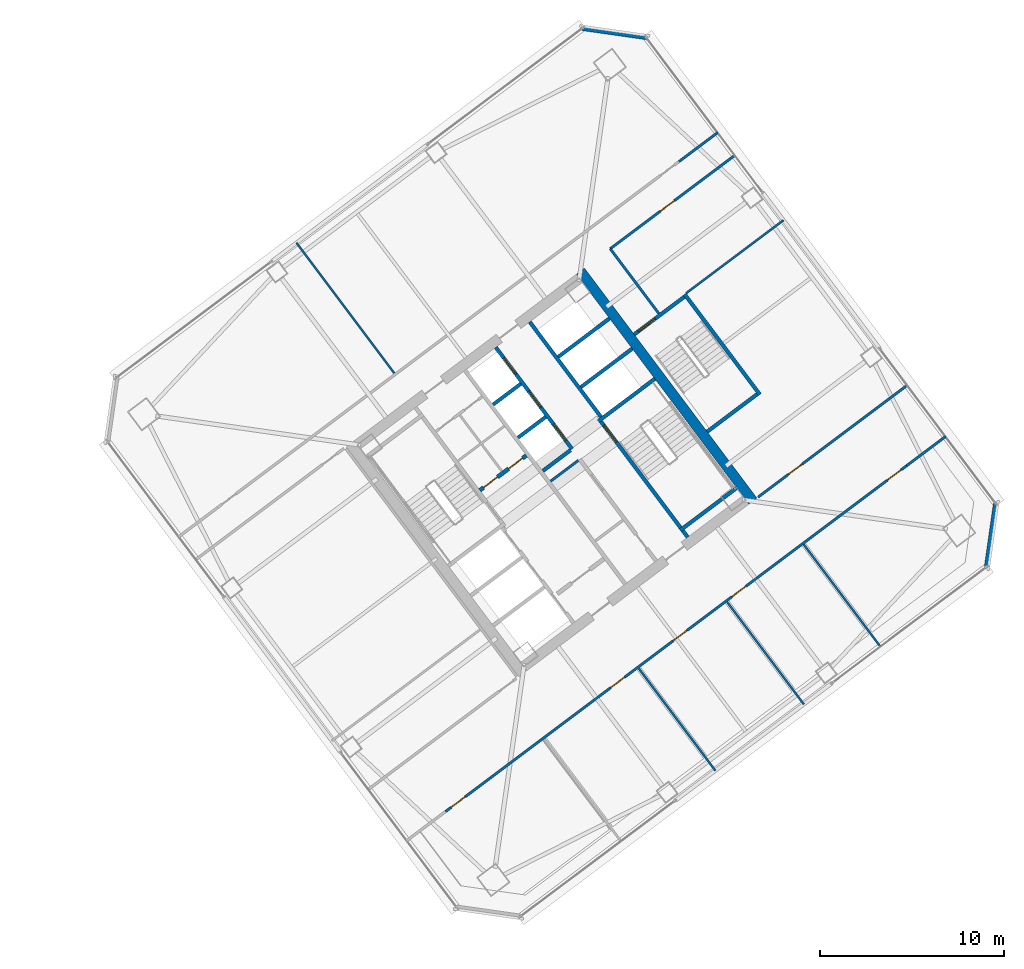
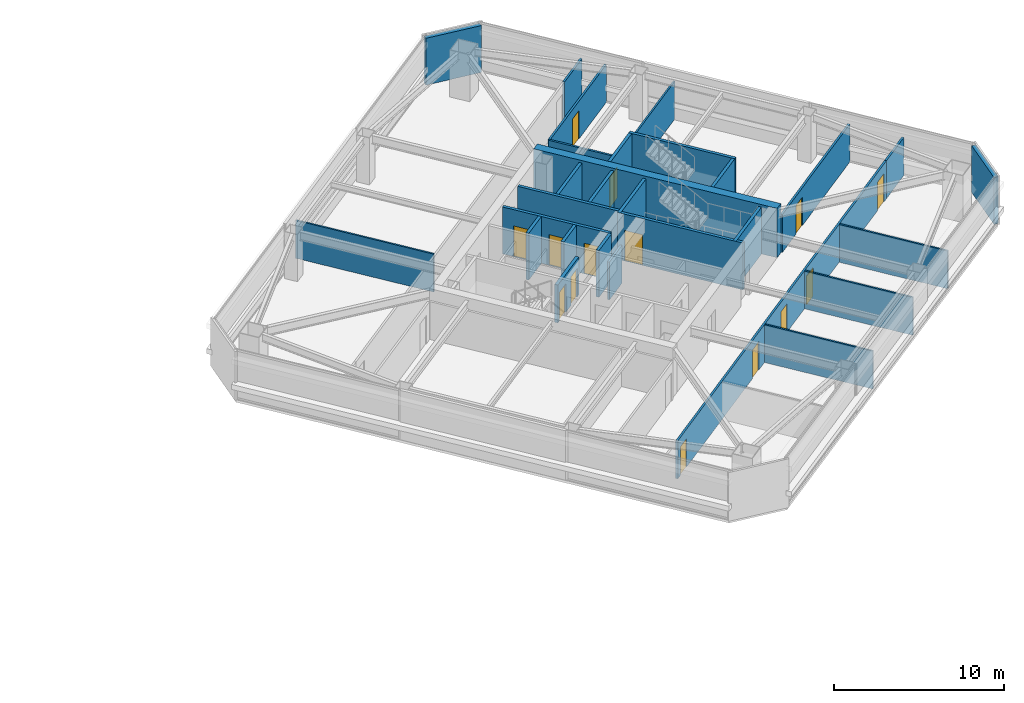
# One storey, part 34 of 41: 29 walls, 14 doors, 14 openings.
"""IFC4 building model written with IfcOpenShell, lengths in metres."""

from ifc_helpers import new_model, si_unit, direction, frame, frame_2d, origin, place, context, subcontext, project, spatial, rectangle, extrude, material, layer, layer_set, type_object, element, fill, save


model = new_model("IFC4")

# Units and contexts
model_context = context("Model", 3, precision=1e-05, world=origin(), true_north=direction((0.0, 1.0)))
body_context = subcontext(model_context, "Body", "Model", "MODEL_VIEW")
ifc_project = project(units=[si_unit("LENGTHUNIT", "METRE"), si_unit("AREAUNIT", "SQUARE_METRE"), si_unit("VOLUMEUNIT", "CUBIC_METRE"), si_unit("PLANEANGLEUNIT", "RADIAN"), si_unit("MASSUNIT", "GRAM", prefix="KILO")], contexts=[model_context])

# Site, building, storey
site_placement = place(None, origin())
site = spatial("IfcSite", under=ifc_project, at=site_placement, CompositionType="ELEMENT")
building_placement = place(site_placement, origin())
building = spatial("IfcBuilding", under=site, at=building_placement, Name="Tashvorn Skyway Center", CompositionType="ELEMENT")
storey_placement = place(building_placement, frame((0.0, 0.0, 117.949951171875)))
storey = spatial("IfcBuildingStorey", under=building, at=storey_placement, Name="L31", CompositionType="ELEMENT", Elevation=117.949951171875)

# Walls
ifc_material_1 = material(Name="Concrete C60/75", Category="concrete")
ifc_layer_1 = layer(ifc_material_1, 0.550048828125)
ifc_layer_set_1 = layer_set([ifc_layer_1], Name="Concrete C60/75")
wall_type_1 = type_object("IfcWallType", Name="WALL-CORE-550", PredefinedType="SHEAR", material=ifc_layer_set_1)
wall_1_placement = place(storey_placement, frame((115.56396484375, 42.923095703125, 0.0), z_axis=(0.0, 0.0, 1.0), x_axis=(0.600005007985, -0.799996243986, 0.0)))
element("IfcWall", 1, at=wall_1_placement, inside=storey, type_object=wall_type_1, Name="Tower 2 L31 East Core Shear Wall", PredefinedType="SHEAR", context=body_context, shape_type="SweptSolid", body=[
    extrude(rectangle(XDim=15.60009765625, YDim=0.550048828125, at=frame_2d((7.800048828125, 0.0))), origin(), (0.0, 0.0, 1.0), 3.550048828125),
])
ifc_material_2 = material(Name="Precast concrete C40/50", Category="concrete")
ifc_layer_2 = layer(ifc_material_2, 0.280029296875)
ifc_layer_set_2 = layer_set([ifc_layer_2], Name="Precast concrete C40/50")
wall_type_2 = type_object("IfcWallType", Name="WALL-EXT-280", PredefinedType="SOLIDWALL", material=ifc_layer_set_2)
for number, where, z_axis, x_axis, name in (
    (2, (115.659912109375, 56.1201171875, 0.0), (0.0, 0.0, 1.0), (0.989949493661, -0.141421356237, 0.0), "Tower 2 L31 NE Precast Chamfer Wall"),
    (3, (138.1201171875, 30.340087890625, 0.0), (0.0, 0.0, 1.0), (-0.141421356237, -0.989949493661, 0.0), "Tower 2 L31 SE Precast Chamfer Wall"),
):
    element("IfcWall", number, at=place(storey_placement, frame(where, z_axis=z_axis, x_axis=x_axis)), inside=storey, type_object=wall_type_2, Name=name, PredefinedType="SOLIDWALL", context=body_context, shape_type="SweptSolid", body=[
        extrude(rectangle(XDim=3.53564453125, YDim=0.280029296875, at=frame_2d((1.767822265625, 0.0))), origin(), (0.0, 0.0, 1.0), 3.3701171875),
    ])

# Wall, openings, doors
ifc_material_3 = material(Name="Concrete C40/50", Category="concrete")
ifc_layer_3 = layer(ifc_material_3, 0.219970703125)
ifc_layer_set_3 = layer_set([ifc_layer_3], Name="Concrete C40/50")
wall_type_3 = type_object("IfcWallType", Name="WALL-FFL-220", PredefinedType="SOLIDWALL", material=ifc_layer_set_3)
wall_2_placement = place(storey_placement, frame((110.10400390625, 31.028076171875, 0.0), z_axis=(0.0, 0.0, 1.0), x_axis=(0.800018601094, 0.59997519774, 0.0)))
wall_2 = element("IfcWall", 4, at=wall_2_placement, inside=storey, type_object=wall_type_3, Name="Tower 2 L31 Firefighting Lobby North Wall", PredefinedType="SOLIDWALL", context=body_context, shape_type="SweptSolid", body=[
    extrude(rectangle(XDim=3.14990234375, YDim=0.219970703125, at=frame_2d((1.574951171875, 0.0))), origin(), (0.0, 0.0, 1.0), 2.72314453125),
])
opening_1_placement = place(wall_2_placement, frame((0.25, 0.0, 0.0)))
opening_1 = element("IfcOpeningElement", 5, at=opening_1_placement, cuts=wall_2, Name="Opening D-RT-950", PredefinedType="OPENING", context=body_context, shape_type="SweptSolid", body=[
    extrude(rectangle(XDim=0.949951171875, YDim=2.050048828125, at=frame_2d((0.47509765625, 1.02490234375))), frame((0.0, 0.119873046875, 0.0), z_axis=(0.0, -1.0, 0.0), x_axis=(1.0, 0.0, 0.0)), (0.0, 0.0, 1.0), 0.239990234375),
])
opening_2_placement = place(wall_2_placement, frame((1.949951171875, 0.0, 0.0)))
opening_2 = element("IfcOpeningElement", 6, at=opening_2_placement, cuts=wall_2, Name="Opening D-RT-950", PredefinedType="OPENING", context=body_context, shape_type="SweptSolid", body=[
    extrude(rectangle(XDim=0.949951171875, YDim=2.050048828125, at=frame_2d((0.47509765625, 1.02490234375))), frame((0.0, 0.119873046875, 0.0), z_axis=(0.0, -1.0, 0.0), x_axis=(1.0, 0.0, 0.0)), (0.0, 0.0, 1.0), 0.239990234375),
])
ifc_material_4 = material(Name="Hollow galvanized steel fire door assembly", Category="steel")
door_type_1 = type_object("IfcDoorType", Name="DOOR-RATED-950", OperationType="NOTDEFINED", PredefinedType="DOOR", material=ifc_material_4)
door_1_placement = place(opening_1_placement, origin())
door_1 = element("IfcDoor", 7, at=door_1_placement, inside=storey, type_object=door_type_1, Name="Tower 2 L31 Core Mail Room Door", OperationType="SINGLE_SWING_LEFT", OverallHeight=2.050048828125, OverallWidth=0.949951171875, PredefinedType="DOOR", context=body_context, shape_type="SweptSolid", body=[
    extrude(rectangle(XDim=0.949951171875, YDim=2.050048828125, at=frame_2d((0.47509765625, 1.02490234375))), frame((0.0, 0.02490234375, 0.0), z_axis=(0.0, -1.0, 0.0), x_axis=(1.0, 0.0, 0.0)), (0.0, 0.0, 1.0), 0.050048828125),
])
fill(opening_1, door_1)
door_2_placement = place(opening_2_placement, origin())
door_2 = element("IfcDoor", 8, at=door_2_placement, inside=storey, type_object=door_type_1, Name="Tower 2 L31 Core Supply Closet Door", OperationType="SINGLE_SWING_RIGHT", OverallHeight=2.050048828125, OverallWidth=0.949951171875, PredefinedType="DOOR", context=body_context, shape_type="SweptSolid", body=[
    extrude(rectangle(XDim=0.949951171875, YDim=2.050048828125, at=frame_2d((0.47509765625, 1.02490234375))), frame((0.0, 0.02490234375, 0.0), z_axis=(0.0, -1.0, 0.0), x_axis=(1.0, 0.0, 0.0)), (0.0, 0.0, 1.0), 0.050048828125),
])
fill(opening_2, door_2)

# Walls
ifc_material_5 = material(Name="Gypsum board on cold-formed steel stud framing", Category="steel")
ifc_layer_4 = layer(ifc_material_5, 0.110107421875)
ifc_layer_set_4 = layer_set([ifc_layer_4], Name="Gypsum board on cold-formed steel stud framing")
wall_type_4 = type_object("IfcWallType", Name="WALL-PART-110", PredefinedType="PARTITIONING", material=ifc_layer_set_4)
wall_3_placement = place(storey_placement, frame((105.4619140625, 37.384033203125, 0.0), z_axis=(0.0, 0.0, 1.0), x_axis=(-0.599982344389, 0.800013241404, 0.0)))
element("IfcWall", 9, at=wall_3_placement, inside=storey, type_object=wall_type_4, Name="Tower 2 L31 North Suite Partition 1", PredefinedType="PARTITIONING", context=body_context, shape_type="SweptSolid", body=[
    extrude(rectangle(XDim=8.849853515625, YDim=0.110107421875, at=frame_2d((4.4248046875, 0.0))), origin(), (0.0, 0.0, 1.0), 2.72314453125),
])
wall_4_placement = place(storey_placement, frame((122.887939453125, 15.81591796875, 0.0), z_axis=(0.0, 0.0, 1.0), x_axis=(-0.599983090003, 0.800012682219, 0.0)))
element("IfcWall", 10, at=wall_4_placement, inside=storey, type_object=wall_type_4, Name="Tower 2 L31 South Suite Partition 2", PredefinedType="PARTITIONING", context=body_context, shape_type="SweptSolid", body=[
    extrude(rectangle(XDim=6.93017578125, YDim=0.110107421875, at=frame_2d((3.465087890625, 0.0))), origin(), (0.0, 0.0, 1.0), 2.72314453125),
])
wall_5_placement = place(storey_placement, frame((127.68798828125, 19.416015625, 0.0), z_axis=(0.0, 0.0, 1.0), x_axis=(-0.6, 0.8, 0.0)))
element("IfcWall", 11, at=wall_5_placement, inside=storey, type_object=wall_type_4, Name="Tower 2 L31 South Suite Partition 3", PredefinedType="PARTITIONING", context=body_context, shape_type="SweptSolid", body=[
    extrude(rectangle(XDim=6.929931640625, YDim=0.110107421875, at=frame_2d((3.46484375, 0.0))), origin(), (0.0, 0.0, 1.0), 2.72314453125),
])
wall_6_placement = place(storey_placement, frame((131.847900390625, 22.535888671875, 0.0), z_axis=(0.0, 0.0, 1.0), x_axis=(-0.599983090003, 0.800012682219, 0.0)))
element("IfcWall", 12, at=wall_6_placement, inside=storey, type_object=wall_type_4, Name="Tower 2 L31 South Suite Partition 4", PredefinedType="PARTITIONING", context=body_context, shape_type="SweptSolid", body=[
    extrude(rectangle(XDim=6.93017578125, YDim=0.110107421875, at=frame_2d((3.465087890625, 0.0))), origin(), (0.0, 0.0, 1.0), 2.72314453125),
])
wall_7_placement = place(storey_placement, frame((126.583984375, 45.68798828125, 0.0), z_axis=(0.0, 0.0, 1.0), x_axis=(-0.800004438899, -0.599994081423, 0.0)))
element("IfcWall", 13, at=wall_7_placement, inside=storey, type_object=wall_type_4, Name="Tower 2 L31 East Suite Partition 1", PredefinedType="PARTITIONING", context=body_context, shape_type="SweptSolid", body=[
    extrude(rectangle(XDim=6.60009765625, YDim=0.110107421875, at=frame_2d((3.300048828125, 0.0))), origin(), (0.0, 0.0, 1.0), 2.72314453125),
])
ifc_layer_5 = layer(ifc_material_5, 0.135009765625)
ifc_layer_set_5 = layer_set([ifc_layer_5], Name="Gypsum board on cold-formed steel stud framing")
wall_type_5 = type_object("IfcWallType", Name="WALL-PART-135", PredefinedType="PARTITIONING", material=ifc_layer_set_5)
wall_8_placement = place(storey_placement, frame((119.823974609375, 40.617919921875, 0.0), z_axis=(0.0, 0.0, 1.0), x_axis=(-0.599982243973, 0.800013316712, 0.0)))
element("IfcWall", 14, at=wall_8_placement, inside=storey, type_object=wall_type_5, Name="Tower 2 L31 Stair 3 Access Corridor Wall", PredefinedType="PARTITIONING", context=body_context, shape_type="SweptSolid", body=[
    extrude(rectangle(XDim=4.39990234375, YDim=0.135009765625, at=frame_2d((2.199951171875, 0.0))), origin(), (0.0, 0.0, 1.0), 2.72314453125),
])
wall_9_placement = place(storey_placement, frame((120.909912109375, 48.8701171875, 0.0), z_axis=(0.0, 0.0, 1.0), x_axis=(0.80002227902, 0.599970293491, 0.0)))
element("IfcWall", 15, at=wall_9_placement, inside=storey, type_object=wall_type_5, Name="Tower 2 L31 North-East Suite South Wall", PredefinedType="PARTITIONING", context=body_context, shape_type="SweptSolid", body=[
    extrude(rectangle(XDim=2.6298828125, YDim=0.135009765625, at=frame_2d((1.31494140625, 0.0))), origin(), (0.0, 0.0, 1.0), 2.72314453125),
])

# Wall, openings, doors
wall_10_placement = place(storey_placement, frame((133.281982421875, 32.3740234375, 0.0), z_axis=(0.0, 0.0, 1.0), x_axis=(-0.8, -0.6, 0.0)))
wall_10 = element("IfcWall", 16, at=wall_10_placement, inside=storey, type_object=wall_type_5, Name="Tower 2 L31 South Suite Wall", PredefinedType="PARTITIONING", context=body_context, shape_type="SweptSolid", body=[
    extrude(rectangle(XDim=31.300048828125, YDim=0.135009765625, at=frame_2d((15.64990234375, 0.0))), origin(), (0.0, 0.0, 1.0), 2.72314453125),
])
opening_3_placement = place(wall_10_placement, frame((29.969970703125, 0.0, 0.0)))
opening_3 = element("IfcOpeningElement", 17, at=opening_3_placement, cuts=wall_10, Name="Opening D-INT-950", PredefinedType="OPENING", context=body_context, shape_type="SweptSolid", body=[
    extrude(rectangle(XDim=0.949951171875, YDim=2.050048828125, at=frame_2d((0.47509765625, 1.02490234375))), frame((0.0, 0.077392578125, 0.0), z_axis=(0.0, -1.0, 0.0), x_axis=(1.0, 0.0, 0.0)), (0.0, 0.0, 1.0), 0.155029296875),
])
opening_4_placement = place(wall_10_placement, frame((19.151123046875, 0.0, 0.0)))
opening_4 = element("IfcOpeningElement", 18, at=opening_4_placement, cuts=wall_10, Name="Opening D-INT-950", PredefinedType="OPENING", context=body_context, shape_type="SweptSolid", body=[
    extrude(rectangle(XDim=0.949951171875, YDim=2.050048828125, at=frame_2d((0.47509765625, 1.02490234375))), frame((0.0, 0.077392578125, 0.0), z_axis=(0.0, -1.0, 0.0), x_axis=(1.0, 0.0, 0.0)), (0.0, 0.0, 1.0), 0.155029296875),
])
opening_5_placement = place(wall_10_placement, frame((14.901123046875, 0.0, 0.0)))
opening_5 = element("IfcOpeningElement", 19, at=opening_5_placement, cuts=wall_10, Name="Opening D-INT-950", PredefinedType="OPENING", context=body_context, shape_type="SweptSolid", body=[
    extrude(rectangle(XDim=0.949951171875, YDim=2.050048828125, at=frame_2d((0.47509765625, 1.02490234375))), frame((0.0, 0.077392578125, 0.0), z_axis=(0.0, -1.0, 0.0), x_axis=(1.0, 0.0, 0.0)), (0.0, 0.0, 1.0), 0.155029296875),
])
opening_6_placement = place(wall_10_placement, frame((10.919921875, 0.0, 0.0)))
opening_6 = element("IfcOpeningElement", 20, at=opening_6_placement, cuts=wall_10, Name="Opening D-INT-950", PredefinedType="OPENING", context=body_context, shape_type="SweptSolid", body=[
    extrude(rectangle(XDim=0.949951171875, YDim=2.050048828125, at=frame_2d((0.47509765625, 1.02490234375))), frame((0.0, 0.077392578125, 0.0), z_axis=(0.0, -1.0, 0.0), x_axis=(1.0, 0.0, 0.0)), (0.0, 0.0, 1.0), 0.155029296875),
])
opening_7_placement = place(wall_10_placement, frame((0.3798828125, 0.0, 0.0)))
opening_7 = element("IfcOpeningElement", 21, at=opening_7_placement, cuts=wall_10, Name="Opening D-INT-950", PredefinedType="OPENING", context=body_context, shape_type="SweptSolid", body=[
    extrude(rectangle(XDim=0.949951171875, YDim=2.050048828125, at=frame_2d((0.47509765625, 1.02490234375))), frame((0.0, 0.077392578125, 0.0), z_axis=(0.0, -1.0, 0.0), x_axis=(1.0, 0.0, 0.0)), (0.0, 0.0, 1.0), 0.155029296875),
])
ifc_material_6 = material(Name="Solid-core architectural oak veneer door")
door_type_2 = type_object("IfcDoorType", Name="DOOR-INT-950", OperationType="NOTDEFINED", PredefinedType="DOOR", material=ifc_material_6)
door_3_placement = place(opening_3_placement, origin())
door_3 = element("IfcDoor", 22, at=door_3_placement, inside=storey, type_object=door_type_2, Name="Tower 2 L31 Executive Study Lounge Door", OperationType="SINGLE_SWING_LEFT", OverallHeight=2.050048828125, OverallWidth=0.949951171875, PredefinedType="DOOR", context=body_context, shape_type="SweptSolid", body=[
    extrude(rectangle(XDim=0.949951171875, YDim=2.050048828125, at=frame_2d((0.47509765625, 1.02490234375))), frame((0.0, 0.02490234375, 0.0), z_axis=(0.0, -1.0, 0.0), x_axis=(1.0, 0.0, 0.0)), (0.0, 0.0, 1.0), 0.050048828125),
])
fill(opening_3, door_3)
door_4_placement = place(opening_4_placement, origin())
door_4 = element("IfcDoor", 23, at=door_4_placement, inside=storey, type_object=door_type_2, Name="Tower 2 L31 Design Studio Door", OperationType="SINGLE_SWING_RIGHT", OverallHeight=2.050048828125, OverallWidth=0.949951171875, PredefinedType="DOOR", context=body_context, shape_type="SweptSolid", body=[
    extrude(rectangle(XDim=0.949951171875, YDim=2.050048828125, at=frame_2d((0.47509765625, 1.02490234375))), frame((0.0, 0.02490234375, 0.0), z_axis=(0.0, -1.0, 0.0), x_axis=(1.0, 0.0, 0.0)), (0.0, 0.0, 1.0), 0.050048828125),
])
fill(opening_4, door_4)
door_5_placement = place(opening_5_placement, origin())
door_5 = element("IfcDoor", 24, at=door_5_placement, inside=storey, type_object=door_type_2, Name="Tower 2 L31 Design Studio Door", OperationType="SINGLE_SWING_LEFT", OverallHeight=2.050048828125, OverallWidth=0.949951171875, PredefinedType="DOOR", context=body_context, shape_type="SweptSolid", body=[
    extrude(rectangle(XDim=0.949951171875, YDim=2.050048828125, at=frame_2d((0.47509765625, 1.02490234375))), frame((0.0, 0.02490234375, 0.0), z_axis=(0.0, -1.0, 0.0), x_axis=(1.0, 0.0, 0.0)), (0.0, 0.0, 1.0), 0.050048828125),
])
fill(opening_5, door_5)
door_6_placement = place(opening_6_placement, origin())
door_6 = element("IfcDoor", 25, at=door_6_placement, inside=storey, type_object=door_type_2, Name="Tower 2 L31 Reading Lounge Door", OperationType="SINGLE_SWING_RIGHT", OverallHeight=2.050048828125, OverallWidth=0.949951171875, PredefinedType="DOOR", context=body_context, shape_type="SweptSolid", body=[
    extrude(rectangle(XDim=0.949951171875, YDim=2.050048828125, at=frame_2d((0.47509765625, 1.02490234375))), frame((0.0, 0.02490234375, 0.0), z_axis=(0.0, -1.0, 0.0), x_axis=(1.0, 0.0, 0.0)), (0.0, 0.0, 1.0), 0.050048828125),
])
fill(opening_6, door_6)
door_7_placement = place(opening_7_placement, origin())
door_7 = element("IfcDoor", 26, at=door_7_placement, inside=storey, type_object=door_type_2, Name="Tower 2 L31 Open Plan Office Door", OperationType="SINGLE_SWING_LEFT", OverallHeight=2.050048828125, OverallWidth=0.949951171875, PredefinedType="DOOR", context=body_context, shape_type="SweptSolid", body=[
    extrude(rectangle(XDim=0.949951171875, YDim=2.050048828125, at=frame_2d((0.47509765625, 1.02490234375))), frame((0.0, 0.02490234375, 0.0), z_axis=(0.0, -1.0, 0.0), x_axis=(1.0, 0.0, 0.0)), (0.0, 0.0, 1.0), 0.050048828125),
])
fill(opening_7, door_7)

# Wall
wall_11_placement = place(storey_placement, frame((133.281982421875, 32.3740234375, 0.0), z_axis=(0.0, 0.0, 1.0), x_axis=(0.80002227902, 0.599970293491, 0.0)))
element("IfcWall", 27, at=wall_11_placement, inside=storey, type_object=wall_type_5, Name="Tower 2 L31 South-East Suite North Wall", PredefinedType="PARTITIONING", context=body_context, shape_type="SweptSolid", body=[
    extrude(rectangle(XDim=2.6298828125, YDim=0.135009765625, at=frame_2d((1.31494140625, 0.0))), origin(), (0.0, 0.0, 1.0), 2.72314453125),
])

# Wall, opening, door
wall_12_placement = place(storey_placement, frame((123.944091796875, 49.2080078125, 0.0), z_axis=(0.0, 0.0, 1.0), x_axis=(-0.799996532921, -0.600004622744, 0.0)))
wall_12 = element("IfcWall", 28, at=wall_12_placement, inside=storey, type_object=wall_type_5, Name="Tower 2 L31 East Suite North Wall", PredefinedType="PARTITIONING", context=body_context, shape_type="SweptSolid", body=[
    extrude(rectangle(XDim=8.449951171875, YDim=0.135009765625, at=frame_2d((4.22509765625, 0.0))), origin(), (0.0, 0.0, 1.0), 2.72314453125),
])
opening_8_placement = place(wall_12_placement, frame((4.10009765625, 0.0, 0.0)))
opening_8 = element("IfcOpeningElement", 29, at=opening_8_placement, cuts=wall_12, Name="Opening D-INT-950", PredefinedType="OPENING", context=body_context, shape_type="SweptSolid", body=[
    extrude(rectangle(XDim=0.949951171875, YDim=2.050048828125, at=frame_2d((0.47509765625, 1.02490234375))), frame((0.0, 0.077392578125, 0.0), z_axis=(0.0, -1.0, 0.0), x_axis=(1.0, 0.0, 0.0)), (0.0, 0.0, 1.0), 0.155029296875),
])
door_8_placement = place(opening_8_placement, origin())
door_8 = element("IfcDoor", 30, at=door_8_placement, inside=storey, type_object=door_type_2, Name="Tower 2 L31 Open Plan Office Door", OperationType="SINGLE_SWING_RIGHT", OverallHeight=2.050048828125, OverallWidth=0.949951171875, PredefinedType="DOOR", context=body_context, shape_type="SweptSolid", body=[
    extrude(rectangle(XDim=0.949951171875, YDim=2.050048828125, at=frame_2d((0.47509765625, 1.02490234375))), frame((0.0, 0.02490234375, 0.0), z_axis=(0.0, -1.0, 0.0), x_axis=(1.0, 0.0, 0.0)), (0.0, 0.0, 1.0), 0.050048828125),
])
fill(opening_8, door_8)

wall_13_placement = place(storey_placement, frame((125.2080078125, 30.656005859375, 0.0), z_axis=(0.0, 0.0, 1.0), x_axis=(0.799997105034, 0.600003859935, 0.0)))
wall_13 = element("IfcWall", 31, at=wall_13_placement, inside=storey, type_object=wall_type_5, Name="Tower 2 L31 East Suite South Wall", PredefinedType="PARTITIONING", context=body_context, shape_type="SweptSolid", body=[
    extrude(rectangle(XDim=10.119873046875, YDim=0.135009765625, at=frame_2d((5.06005859375, 0.0))), origin(), (0.0, 0.0, 1.0), 2.72314453125),
])
opening_9_placement = place(wall_13_placement, frame((2.044921875, 0.0, 0.0)))
opening_9 = element("IfcOpeningElement", 32, at=opening_9_placement, cuts=wall_13, Name="Opening D-INT-950", PredefinedType="OPENING", context=body_context, shape_type="SweptSolid", body=[
    extrude(rectangle(XDim=0.949951171875, YDim=2.050048828125, at=frame_2d((0.47509765625, 1.02490234375))), frame((0.0, 0.077392578125, 0.0), z_axis=(0.0, -1.0, 0.0), x_axis=(1.0, 0.0, 0.0)), (0.0, 0.0, 1.0), 0.155029296875),
])
door_9_placement = place(opening_9_placement, origin())
door_9 = element("IfcDoor", 33, at=door_9_placement, inside=storey, type_object=door_type_2, Name="Tower 2 L31 Public Restroom Door", OperationType="SINGLE_SWING_LEFT", OverallHeight=2.050048828125, OverallWidth=0.949951171875, PredefinedType="DOOR", context=body_context, shape_type="SweptSolid", body=[
    extrude(rectangle(XDim=0.949951171875, YDim=2.050048828125, at=frame_2d((0.47509765625, 1.02490234375))), frame((0.0, 0.02490234375, 0.0), z_axis=(0.0, -1.0, 0.0), x_axis=(1.0, 0.0, 0.0)), (0.0, 0.0, 1.0), 0.050048828125),
])
fill(opening_9, door_9)

# Walls
ifc_layer_6 = layer(ifc_material_5, 0.135009765625)
ifc_layer_set_6 = layer_set([ifc_layer_6], Name="Gypsum board on cold-formed steel stud framing")
wall_type_6 = type_object("IfcWallType", Name="WALL-RATED-135", PredefinedType="PARTITIONING", material=ifc_layer_set_6)
wall_14_placement = place(storey_placement, frame((113.946044921875, 31.52197265625, 0.0), z_axis=(0.0, 0.0, 1.0), x_axis=(0.8, 0.6, 0.0)))
element("IfcWall", 34, at=wall_14_placement, inside=storey, type_object=wall_type_6, Name="Tower 2 L31 Core Room Partition", PredefinedType="PARTITIONING", context=body_context, shape_type="SweptSolid", body=[
    extrude(rectangle(XDim=1.8798828125, YDim=0.135009765625, at=frame_2d((0.93994140625, 0.0))), origin(), (0.0, 0.0, 1.0), 2.72314453125),
])
ifc_layer_7 = layer(ifc_material_3, 0.199951171875)
ifc_layer_set_7 = layer_set([ifc_layer_7], Name="Concrete C40/50")
wall_type_7 = type_object("IfcWallType", Name="WALL-SHAFT-200", PredefinedType="SOLIDWALL", material=ifc_layer_set_7)
for number, where, z_axis, x_axis, name in (
    (35, (115.590087890625, 36.6298828125, 0.0), (0.0, 0.0, 1.0), (0.799974743577, 0.600033673754, 0.0), "Tower 2 L31 High-Rise Shaft Divider"),
    (36, (114.360107421875, 38.27001953125, 0.0), (0.0, 0.0, 1.0), (0.800008418847, 0.599988774707, 0.0), "Tower 2 L31 High-Rise Shaft Divider"),
):
    element("IfcWall", number, at=place(storey_placement, frame(where, z_axis=z_axis, x_axis=x_axis)), inside=storey, type_object=wall_type_7, Name=name, PredefinedType="SOLIDWALL", context=body_context, shape_type="SweptSolid", body=[
        extrude(rectangle(XDim=3.47998046875, YDim=0.199951171875, at=frame_2d((1.739990234375, 0.0))), origin(), (0.0, 0.0, 1.0), 3.3701171875),
    ])

# Wall, openings, doors
wall_15_placement = place(storey_placement, frame((115.110107421875, 33.27001953125, 0.0), z_axis=(0.0, 0.0, 1.0), x_axis=(-0.600011322243, 0.799991508192, 0.0)))
wall_15 = element("IfcWall", 37, at=wall_15_placement, inside=storey, type_object=wall_type_7, Name="Tower 2 L31 Mid-Rise Core Wall", PredefinedType="SOLIDWALL", context=body_context, shape_type="SweptSolid", body=[
    extrude(rectangle(XDim=6.900146484375, YDim=0.199951171875, at=frame_2d((3.4501953125, 0.0))), origin(), (0.0, 0.0, 1.0), 3.3701171875),
])
opening_10_placement = place(wall_15_placement, frame((0.574951171875, 0.0, 0.0)))
opening_10 = element("IfcOpeningElement", 38, at=opening_10_placement, cuts=wall_15, Name="Opening LD-MR-T2-1-L31", PredefinedType="OPENING", context=body_context, shape_type="SweptSolid", body=[
    extrude(rectangle(XDim=1.10009765625, YDim=2.199951171875, at=frame_2d((0.550048828125, 1.10009765625))), frame((0.0, 0.10986328125, 0.0), z_axis=(0.0, -1.0, 0.0), x_axis=(1.0, 0.0, 0.0)), (0.0, 0.0, 1.0), 0.219970703125),
])
opening_11_placement = place(wall_15_placement, frame((2.824951171875, 0.0, 0.0)))
opening_11 = element("IfcOpeningElement", 39, at=opening_11_placement, cuts=wall_15, Name="Opening LD-MR-T2-2-L31", PredefinedType="OPENING", context=body_context, shape_type="SweptSolid", body=[
    extrude(rectangle(XDim=1.10009765625, YDim=2.199951171875, at=frame_2d((0.550048828125, 1.10009765625))), frame((0.0, 0.10986328125, 0.0), z_axis=(0.0, -1.0, 0.0), x_axis=(1.0, 0.0, 0.0)), (0.0, 0.0, 1.0), 0.219970703125),
])
opening_12_placement = place(wall_15_placement, frame((5.074951171875, 0.0, 0.0)))
opening_12 = element("IfcOpeningElement", 40, at=opening_12_placement, cuts=wall_15, Name="Opening LD-MR-T2-3-L31", PredefinedType="OPENING", context=body_context, shape_type="SweptSolid", body=[
    extrude(rectangle(XDim=1.10009765625, YDim=2.199951171875, at=frame_2d((0.550048828125, 1.10009765625))), frame((0.0, 0.10986328125, 0.0), z_axis=(0.0, -1.0, 0.0), x_axis=(1.0, 0.0, 0.0)), (0.0, 0.0, 1.0), 0.219970703125),
])
ifc_material_7 = material(Name="Stainless steel landing door", Category="steel")
door_type_3 = type_object("IfcDoorType", Name="DOOR-LIFT-1100", OperationType="SLIDING_TO_LEFT", PredefinedType="DOOR", material=ifc_material_7)
door_10_placement = place(opening_10_placement, origin())
door_10 = element("IfcDoor", 41, at=door_10_placement, inside=storey, type_object=door_type_3, Name="Lift MR-T2-1 L31 Landing Door", OperationType="SLIDING_TO_LEFT", OverallHeight=2.199951171875, OverallWidth=1.10009765625, PredefinedType="DOOR", context=body_context, shape_type="SweptSolid", body=[
    extrude(rectangle(XDim=1.10009765625, YDim=2.199951171875, at=frame_2d((0.550048828125, 1.10009765625))), frame((0.0, 0.02490234375, 0.0), z_axis=(0.0, -1.0, 0.0), x_axis=(1.0, 0.0, 0.0)), (0.0, 0.0, 1.0), 0.050048828125),
])
fill(opening_10, door_10)
door_11_placement = place(opening_11_placement, origin())
door_11 = element("IfcDoor", 42, at=door_11_placement, inside=storey, type_object=door_type_3, Name="Lift MR-T2-2 L31 Landing Door", OperationType="SLIDING_TO_LEFT", OverallHeight=2.199951171875, OverallWidth=1.10009765625, PredefinedType="DOOR", context=body_context, shape_type="SweptSolid", body=[
    extrude(rectangle(XDim=1.10009765625, YDim=2.199951171875, at=frame_2d((0.550048828125, 1.10009765625))), frame((0.0, 0.02490234375, 0.0), z_axis=(0.0, -1.0, 0.0), x_axis=(1.0, 0.0, 0.0)), (0.0, 0.0, 1.0), 0.050048828125),
])
fill(opening_11, door_11)
door_12_placement = place(opening_12_placement, origin())
door_12 = element("IfcDoor", 43, at=door_12_placement, inside=storey, type_object=door_type_3, Name="Lift MR-T2-3 L31 Landing Door", OperationType="SLIDING_TO_LEFT", OverallHeight=2.199951171875, OverallWidth=1.10009765625, PredefinedType="DOOR", context=body_context, shape_type="SweptSolid", body=[
    extrude(rectangle(XDim=1.10009765625, YDim=2.199951171875, at=frame_2d((0.550048828125, 1.10009765625))), frame((0.0, 0.02490234375, 0.0), z_axis=(0.0, -1.0, 0.0), x_axis=(1.0, 0.0, 0.0)), (0.0, 0.0, 1.0), 0.050048828125),
])
fill(opening_12, door_12)

# Walls
wall_16_placement = place(storey_placement, frame((113.52587890625, 32.08203125, 0.0), z_axis=(0.0, 0.0, 1.0), x_axis=(0.800046745961, 0.599937666993, 0.0)))
element("IfcWall", 44, at=wall_16_placement, inside=storey, type_object=wall_type_7, Name="Tower 2 L31 Mid-Rise Shaft Divider", PredefinedType="SOLIDWALL", context=body_context, shape_type="SweptSolid", body=[
    extrude(rectangle(XDim=1.880126953125, YDim=0.199951171875, at=frame_2d((0.93994140625, 0.0))), origin(), (0.0, 0.0, 1.0), 3.3701171875),
])
wall_17_placement = place(storey_placement, frame((112.176025390625, 33.882080078125, 0.0), z_axis=(0.0, 0.0, 1.0), x_axis=(0.8, 0.6, 0.0)))
element("IfcWall", 45, at=wall_17_placement, inside=storey, type_object=wall_type_7, Name="Tower 2 L31 Mid-Rise Shaft Divider", PredefinedType="SOLIDWALL", context=body_context, shape_type="SweptSolid", body=[
    extrude(rectangle(XDim=1.8798828125, YDim=0.199951171875, at=frame_2d((0.93994140625, 0.0))), origin(), (0.0, 0.0, 1.0), 3.3701171875),
])
wall_18_placement = place(storey_placement, frame((110.825927734375, 35.681884765625, 0.0), z_axis=(0.0, 0.0, 1.0), x_axis=(0.799984418148, 0.600020775241, 0.0)))
element("IfcWall", 46, at=wall_18_placement, inside=storey, type_object=wall_type_7, Name="Tower 2 L31 Mid-Rise Shaft Divider", PredefinedType="SOLIDWALL", context=body_context, shape_type="SweptSolid", body=[
    extrude(rectangle(XDim=1.880126953125, YDim=0.199951171875, at=frame_2d((0.93994140625, 0.0))), origin(), (0.0, 0.0, 1.0), 3.3701171875),
])

# Wall, opening, door
ifc_layer_8 = layer(ifc_material_3, 0.199951171875)
ifc_layer_set_8 = layer_set([ifc_layer_8], Name="Concrete C40/50")
wall_type_8 = type_object("IfcWallType", Name="WALL-STSHF-200", PredefinedType="SHEAR", material=ifc_layer_set_8)
wall_19_placement = place(storey_placement, frame((116.56005859375, 34.919921875, 0.0), z_axis=(0.0, 0.0, 1.0), x_axis=(0.59999029481, -0.8000072788, 0.0)))
wall_19 = element("IfcWall", 47, at=wall_19_placement, inside=storey, type_object=wall_type_8, Name="Tower 2 L31 Stair 2 Enclosure Wall", PredefinedType="SHEAR", context=body_context, shape_type="SweptSolid", body=[
    extrude(rectangle(XDim=8.0498046875, YDim=0.199951171875, at=frame_2d((4.02490234375, 0.0))), origin(), (0.0, 0.0, 1.0), 3.3701171875),
])
opening_13_placement = place(wall_19_placement, frame((0.449951171875, 0.0, 0.0)))
opening_13 = element("IfcOpeningElement", 48, at=opening_13_placement, cuts=wall_19, Name="Opening D-ST-1150", PredefinedType="OPENING", context=body_context, shape_type="SweptSolid", body=[
    extrude(rectangle(XDim=1.14990234375, YDim=2.199951171875, at=frame_2d((0.574951171875, 1.10009765625))), frame((0.0, 0.10986328125, 0.0), z_axis=(0.0, -1.0, 0.0), x_axis=(1.0, 0.0, 0.0)), (0.0, 0.0, 1.0), 0.219970703125),
])
door_type_4 = type_object("IfcDoorType", Name="DOOR-STAIR-1150", OperationType="NOTDEFINED", PredefinedType="DOOR", material=ifc_material_4)
door_13_placement = place(opening_13_placement, origin())
door_13 = element("IfcDoor", 49, at=door_13_placement, inside=storey, type_object=door_type_4, Name="Tower 2 L31 Exit Stair 2 Door", OperationType="SINGLE_SWING_RIGHT", OverallHeight=2.199951171875, OverallWidth=1.14990234375, PredefinedType="DOOR", context=body_context, shape_type="SweptSolid", body=[
    extrude(rectangle(XDim=1.14990234375, YDim=2.199951171875, at=frame_2d((0.574951171875, 1.10009765625))), frame((0.0, 0.02490234375, 0.0), z_axis=(0.0, -1.0, 0.0), x_axis=(1.0, 0.0, 0.0)), (0.0, 0.0, 1.0), 0.050048828125),
])
fill(opening_13, door_13)

# Walls
for number, where, z_axis, x_axis, name in (
    (50, (116.5400390625, 34.780029296875, 0.0), (0.0, 0.0, 1.0), (0.800015298837, 0.599979601008, 0.0), "Tower 2 L31 Stair 2 North Wall"),
    (51, (120.97998046875, 28.860107421875, 0.0), (0.0, 0.0, 1.0), (0.800015298837, 0.599979601008, 0.0), "Tower 2 L31 Stair 2 South Wall"),
):
    element("IfcWall", number, at=place(storey_placement, frame(where, z_axis=z_axis, x_axis=x_axis)), inside=storey, type_object=wall_type_8, Name=name, PredefinedType="SHEAR", context=body_context, shape_type="SweptSolid", body=[
        extrude(rectangle(XDim=3.829833984375, YDim=0.199951171875, at=frame_2d((1.9150390625, 0.0))), origin(), (0.0, 0.0, 1.0), 3.3701171875),
    ])
wall_20_placement = place(storey_placement, frame((112.81005859375, 40.169921875, 0.0), z_axis=(0.0, 0.0, 1.0), x_axis=(0.599993943644, -0.800004542231, 0.0)))
element("IfcWall", 52, at=wall_20_placement, inside=storey, type_object=wall_type_8, Name="Tower 2 L31 High-Rise Lift Shaft Front Wall", PredefinedType="SHEAR", context=body_context, shape_type="SweptSolid", body=[
    extrude(rectangle(XDim=6.449951171875, YDim=0.199951171875, at=frame_2d((3.22509765625, 0.0))), origin(), (0.0, 0.0, 1.0), 3.3701171875),
])
wall_21_placement = place(storey_placement, frame((125.303955078125, 36.22802734375, 0.0), z_axis=(0.0, 0.0, 1.0), x_axis=(-0.59998851072, 0.800008616831, 0.0)))
element("IfcWall", 53, at=wall_21_placement, inside=storey, type_object=wall_type_8, Name="Tower 2 L31 Stair 3 Outer Wall", PredefinedType="SHEAR", context=body_context, shape_type="SweptSolid", body=[
    extrude(rectangle(XDim=6.7998046875, YDim=0.199951171875, at=frame_2d((3.39990234375, 0.0))), origin(), (0.0, 0.0, 1.0), 3.3701171875),
])

# Wall, opening, door
wall_22_placement = place(storey_placement, frame((121.2041015625, 41.528076171875, 0.0), z_axis=(0.0, 0.0, 1.0), x_axis=(-0.800017232136, -0.599977023131, 0.0)))
wall_22 = element("IfcWall", 54, at=wall_22_placement, inside=storey, type_object=wall_type_8, Name="Tower 2 L31 Stair 3 Enclosure Wall", PredefinedType="SHEAR", context=body_context, shape_type="SweptSolid", body=[
    extrude(rectangle(XDim=3.400146484375, YDim=0.199951171875, at=frame_2d((1.7001953125, 0.0))), origin(), (0.0, 0.0, 1.0), 3.3701171875),
])
opening_14_placement = place(wall_22_placement, frame((1.97509765625, 0.0, 0.0)))
opening_14 = element("IfcOpeningElement", 55, at=opening_14_placement, cuts=wall_22, Name="Opening D-ST-1150", PredefinedType="OPENING", context=body_context, shape_type="SweptSolid", body=[
    extrude(rectangle(XDim=1.14990234375, YDim=2.199951171875, at=frame_2d((0.574951171875, 1.10009765625))), frame((0.0, 0.10986328125, 0.0), z_axis=(0.0, -1.0, 0.0), x_axis=(1.0, 0.0, 0.0)), (0.0, 0.0, 1.0), 0.219970703125),
])
door_14_placement = place(opening_14_placement, origin())
door_14 = element("IfcDoor", 56, at=door_14_placement, inside=storey, type_object=door_type_4, Name="Tower 2 L31 Exit Stair 3 Door", OperationType="SINGLE_SWING_RIGHT", OverallHeight=2.199951171875, OverallWidth=1.14990234375, PredefinedType="DOOR", context=body_context, shape_type="SweptSolid", body=[
    extrude(rectangle(XDim=1.14990234375, YDim=2.199951171875, at=frame_2d((0.574951171875, 1.10009765625))), frame((0.0, 0.02490234375, 0.0), z_axis=(0.0, -1.0, 0.0), x_axis=(1.0, 0.0, 0.0)), (0.0, 0.0, 1.0), 0.050048828125),
])
fill(opening_14, door_14)

# Wall
wall_23_placement = place(storey_placement, frame((122.444091796875, 34.2080078125, 0.0), z_axis=(0.0, 0.0, 1.0), x_axis=(0.79999138319, 0.600011488909, 0.0)))
element("IfcWall", 57, at=wall_23_placement, inside=storey, type_object=wall_type_8, Name="Tower 2 L31 Stair 3 South Wall", PredefinedType="SHEAR", context=body_context, shape_type="SweptSolid", body=[
    extrude(rectangle(XDim=3.39990234375, YDim=0.199951171875, at=frame_2d((1.699951171875, 0.0))), origin(), (0.0, 0.0, 1.0), 3.3701171875),
])

save(model, "model.ifc")
